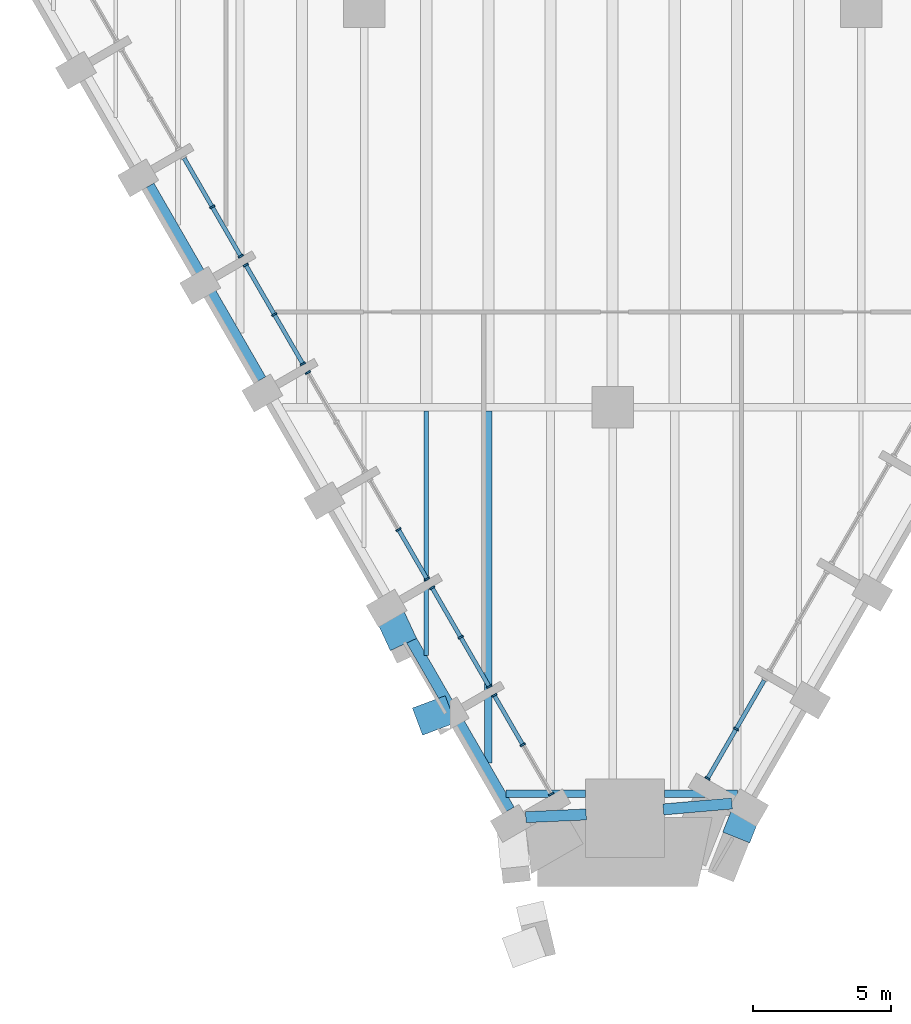
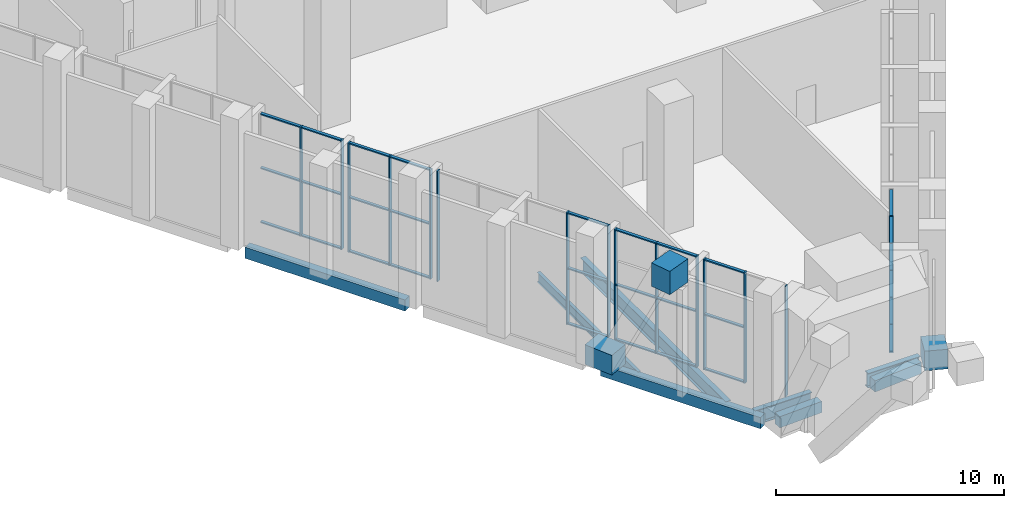
# One storey, part 2 of 17: 46 members, 11 beams, 7 elements without a shape of their own.
"""IFC4 building model written with IfcOpenShell, lengths in metres."""

from ifc_helpers import new_model, si_unit, direction, frame, origin, origin_2d, place, context, subcontext, project, spatial, rectangle, i_section, extrude, material, material_profile, profile_set, type_object, element, aggregate, save


model = new_model("IFC4")

# Units and contexts
model_context = context("Model", 3, precision=1e-05, world=origin(), true_north=direction((0.0, 1.0)))
body_context = subcontext(model_context, "Body", "Model", "MODEL_VIEW")
ifc_project = project(units=[si_unit("LENGTHUNIT", "METRE"), si_unit("AREAUNIT", "SQUARE_METRE"), si_unit("VOLUMEUNIT", "CUBIC_METRE"), si_unit("PLANEANGLEUNIT", "RADIAN"), si_unit("MASSUNIT", "GRAM", prefix="KILO")], contexts=[model_context])

# Site, building, storey
site_placement = place(None, origin())
site = spatial("IfcSite", under=ifc_project, at=site_placement, CompositionType="ELEMENT")
building_placement = place(site_placement, origin())
building = spatial("IfcBuilding", under=site, at=building_placement, Name="Calabash Gate Tower", CompositionType="ELEMENT")
storey_placement = place(building_placement, frame((0.0, 0.0, 132.60009765625)))
storey = spatial("IfcBuildingStorey", under=building, at=storey_placement, Name="L31", CompositionType="ELEMENT", Elevation=132.60009765625)

# Beams
ifc_material_1 = material(Name="Concrete C60/75", Category="concrete")
ifc_material_profile_1 = material_profile(ifc_material_1, rectangle(XDim=0.39990234375, YDim=0.60009765625, at=origin_2d()))
ifc_profile_set_1 = profile_set([ifc_material_profile_1], Name="Concrete C60/75")
beam_type_1 = type_object("IfcBeamType", Name="Edge beam RC 400x600 Concrete C60/75", PredefinedType="BEAM", material=ifc_profile_set_1)
beam_1_placement = place(storey_placement, frame((-16.7900390625, -3.98388671875, -0.47021484375), z_axis=(0.499986829629, -0.866033007568, 0.0), x_axis=(0.866033007568, 0.499986829629, 0.0)))
element("IfcBeam", 1, at=beam_1_placement, inside=storey, type_object=beam_type_1, Name="Edge beam L31 1", PredefinedType="BEAM", context=body_context, shape_type="SweptSolid", body=[
    extrude(rectangle(XDim=0.39990234375, YDim=0.60009765625, at=origin_2d()), origin(), (0.0, 0.0, 1.0), 8.100341796875),
])
beam_2_placement = place(storey_placement, frame((-7.7900390625, -19.572021484375, -0.47021484375), z_axis=(0.499999880539, -0.866025472755, 0.0), x_axis=(0.866025472755, 0.499999880539, 0.0)))
element("IfcBeam", 2, at=beam_2_placement, inside=storey, type_object=beam_type_1, Name="Edge beam L31 3", PredefinedType="BEAM", context=body_context, shape_type="SweptSolid", body=[
    extrude(rectangle(XDim=0.39990234375, YDim=0.60009765625, at=origin_2d()), origin(), (0.0, 0.0, 1.0), 8.10009765625),
])
beam_3_placement = place(storey_placement, frame((-3.14697265625, -26.85205078125, -0.47021484375), z_axis=(0.998976336197, 0.045235823388, 0.0), x_axis=(-0.045235823388, 0.998976336197, 0.0)))
element("IfcBeam", 3, at=beam_3_placement, inside=storey, type_object=beam_type_1, Name="Edge beam L31 4", PredefinedType="BEAM", context=body_context, shape_type="SweptSolid", body=[
    extrude(rectangle(XDim=0.39990234375, YDim=0.60009765625, at=origin_2d()), origin(), (0.0, 0.0, 1.0), 2.191162109375),
])
beam_4_placement = place(storey_placement, frame((1.837890625, -26.571044921875, -0.47021484375), z_axis=(0.996269568656, 0.086295692654, 0.0), x_axis=(-0.086295692654, 0.996269568656, 0.0)))
element("IfcBeam", 4, at=beam_4_placement, inside=storey, type_object=beam_type_1, Name="Edge beam L31 5", PredefinedType="BEAM", context=body_context, shape_type="SweptSolid", body=[
    extrude(rectangle(XDim=0.39990234375, YDim=0.60009765625, at=origin_2d()), origin(), (0.0, 0.0, 1.0), 2.492431640625),
])
ifc_material_2 = material(Name="Steel ASTM A992 Gr50", Category="steel")
ifc_material_profile_2 = material_profile(ifc_material_2, i_section(OverallWidth=0.166015625, OverallDepth=0.5283203125, WebThickness=0.009765625, FlangeThickness=0.013671875, FilletRadius=0.0126953125, at=origin_2d()))
ifc_profile_set_2 = profile_set([ifc_material_profile_2], Name="Steel ASTM A992 Gr50")
beam_type_2 = type_object("IfcBeamType", Name="Floor beam W21x50 ASTM A992 Gr50", PredefinedType="BEAM", material=ifc_profile_set_2)
beam_5_placement = place(storey_placement, frame((-6.75, -20.986083984375, -0.43408203125), z_axis=(0.0, 1.0, 0.0), x_axis=(-1.0, 0.0, 0.0)))
element("IfcBeam", 5, at=beam_5_placement, inside=storey, type_object=beam_type_2, Name="Floor beam L31 11", PredefinedType="BEAM", context=body_context, shape_type="SweptSolid", body=[
    extrude(i_section(OverallWidth=0.166015625, OverallDepth=0.5283203125, WebThickness=0.009765625, FlangeThickness=0.013671875, FilletRadius=0.0126953125, at=origin_2d()), origin(), (0.0, 0.0, 1.0), 8.85302734375),
])
ifc_material_3 = material(Name="Steel ASTM A992 Gr50", Category="steel")
ifc_material_profile_3 = material_profile(ifc_material_3, i_section(OverallWidth=0.2666015625, OverallDepth=0.7568359375, WebThickness=0.013916015625, FlangeThickness=0.019287109375, FilletRadius=0.0166015625, at=origin_2d()))
ifc_profile_set_3 = profile_set([ifc_material_profile_3], Name="Steel ASTM A992 Gr50")
beam_type_3 = type_object("IfcBeamType", Name="Floor beam W30x108 ASTM A992 Gr50", PredefinedType="BEAM", material=ifc_profile_set_3)
beam_6_placement = place(storey_placement, frame((-4.5, -24.883056640625, -0.548095703125), z_axis=(0.0, 1.0, 0.0), x_axis=(-1.0, 0.0, 0.0)))
element("IfcBeam", 6, at=beam_6_placement, inside=storey, type_object=beam_type_3, Name="Floor beam L31 13", PredefinedType="BEAM", context=body_context, shape_type="SweptSolid", body=[
    extrude(i_section(OverallWidth=0.2666015625, OverallDepth=0.7568359375, WebThickness=0.013916015625, FlangeThickness=0.019287109375, FilletRadius=0.0166015625, at=origin_2d()), origin(), (0.0, 0.0, 1.0), 12.75),
])
ifc_material_4 = material(Name="Steel ASTM A992 Gr50", Category="steel")
ifc_material_profile_4 = material_profile(ifc_material_4, i_section(OverallWidth=0.2666015625, OverallDepth=0.77978515625, WebThickness=0.0166015625, FlangeThickness=0.030029296875, FilletRadius=0.0166015625, at=origin_2d()))
ifc_profile_set_4 = profile_set([ifc_material_profile_4], Name="Steel ASTM A992 Gr50")
beam_type_4 = type_object("IfcBeamType", Name="Girder W30x148 ASTM A992 Gr50", PredefinedType="BEAM", material=ifc_profile_set_4)
beam_7_placement = place(storey_placement, frame((-3.860107421875, -26.0, -0.56005859375), z_axis=(1.0, 0.0, 0.0), x_axis=(0.0, 1.0, 0.0)))
element("IfcBeam", 7, at=beam_7_placement, inside=storey, type_object=beam_type_4, Name="Girder L31 6", PredefinedType="BEAM", context=body_context, shape_type="SweptSolid", body=[
    extrude(i_section(OverallWidth=0.2666015625, OverallDepth=0.77978515625, WebThickness=0.0166015625, FlangeThickness=0.030029296875, FilletRadius=0.0166015625, at=origin_2d()), origin(), (0.0, 0.0, 1.0), 2.880126953125),
])
beam_8_placement = place(storey_placement, frame((1.8701171875, -26.0, -0.56005859375), z_axis=(1.0, 0.0, 0.0), x_axis=(0.0, 1.0, 0.0)))
element("IfcBeam", 8, at=beam_8_placement, inside=storey, type_object=beam_type_4, Name="Girder L31 7", PredefinedType="BEAM", context=body_context, shape_type="SweptSolid", body=[
    extrude(i_section(OverallWidth=0.2666015625, OverallDepth=0.77978515625, WebThickness=0.0166015625, FlangeThickness=0.030029296875, FilletRadius=0.0166015625, at=origin_2d()), origin(), (0.0, 0.0, 1.0), 2.64794921875),
])

# Curtain wall, members
ifc_material_5 = material(Name="Anodised aluminium frame, bronze finish, clear laminated low-emissivity glazing", Category="aluminium")
curtain_wall_type = type_object("IfcCurtainWallType", Name="Curtain wall CWS sky lobby wall", PredefinedType="NOTDEFINED", material=ifc_material_5)
curtain_wall_1_placement = place(storey_placement, origin())
curtain_wall_1 = element("IfcCurtainWall", 9, at=curtain_wall_1_placement, inside=storey, type_object=curtain_wall_type, Name="Curtain wall CWS L31 SW0.5", PredefinedType="NOTDEFINED")
ifc_material_6 = material(Name="Anodised aluminium frame, bronze finish", Category="aluminium")
ifc_material_profile_5 = material_profile(ifc_material_6, rectangle(XDim=0.199951171875, YDim=0.06494140625, at=origin_2d()))
ifc_profile_set_5 = profile_set([ifc_material_profile_5], Name="Anodised aluminium frame, bronze finish")
member_type_1 = type_object("IfcMemberType", Name="Mullion CWS 65x200", PredefinedType="MULLION", material=ifc_profile_set_5)
member_1_placement = place(storey_placement, frame((-14.50439453125, -4.74267578125, 0.0), z_axis=(0.0, 0.0, 1.0), x_axis=(0.866025421884, 0.499999968652, 0.0)))
member_1 = element("IfcMember", 10, at=member_1_placement, type_object=member_type_1, Name="CWS mullion 2", PredefinedType="MULLION", context=body_context, shape_type="SweptSolid", body=[
    extrude(rectangle(XDim=0.199951171875, YDim=0.06494140625, at=origin_2d()), origin(), (0.0, 0.0, 1.0), 5.85400390625),
])
member_2_placement = place(storey_placement, frame((-13.470703125, -6.533203125, 0.0), z_axis=(0.0, 0.0, 1.0), x_axis=(0.866025421884, 0.499999968652, 0.0)))
member_2 = element("IfcMember", 11, at=member_2_placement, type_object=member_type_1, Name="CWS mullion 3", PredefinedType="MULLION", context=body_context, shape_type="SweptSolid", body=[
    extrude(rectangle(XDim=0.199951171875, YDim=0.06494140625, at=origin_2d()), origin(), (0.0, 0.0, 1.0), 5.85400390625),
])

curtain_wall_2_placement = place(storey_placement, origin())
curtain_wall_2 = element("IfcCurtainWall", 12, at=curtain_wall_2_placement, inside=storey, type_object=curtain_wall_type, Name="Curtain wall CWS L31 SW0.6", PredefinedType="NOTDEFINED")
member_3_placement = place(storey_placement, frame((-13.2880859375, -6.84912109375, 0.0), z_axis=(0.0, 0.0, 1.0), x_axis=(0.866025421884, 0.499999968652, 0.0)))
member_3 = element("IfcMember", 13, at=member_3_placement, type_object=member_type_1, Name="CWS mullion 1", PredefinedType="MULLION", context=body_context, shape_type="SweptSolid", body=[
    extrude(rectangle(XDim=0.199951171875, YDim=0.06494140625, at=origin_2d()), origin(), (0.0, 0.0, 1.0), 5.85400390625),
])
member_4_placement = place(storey_placement, frame((-12.25439453125, -8.6396484375, 0.0), z_axis=(0.0, 0.0, 1.0), x_axis=(0.866025421884, 0.499999968652, 0.0)))
member_4 = element("IfcMember", 14, at=member_4_placement, type_object=member_type_1, Name="CWS mullion 2", PredefinedType="MULLION", context=body_context, shape_type="SweptSolid", body=[
    extrude(rectangle(XDim=0.199951171875, YDim=0.06494140625, at=origin_2d()), origin(), (0.0, 0.0, 1.0), 5.85400390625),
])
member_5_placement = place(storey_placement, frame((-11.220703125, -10.43017578125, 0.0), z_axis=(0.0, 0.0, 1.0), x_axis=(0.866025421884, 0.499999968652, 0.0)))
member_5 = element("IfcMember", 15, at=member_5_placement, type_object=member_type_1, Name="CWS mullion 3", PredefinedType="MULLION", context=body_context, shape_type="SweptSolid", body=[
    extrude(rectangle(XDim=0.199951171875, YDim=0.06494140625, at=origin_2d()), origin(), (0.0, 0.0, 1.0), 5.85400390625),
])

# Curtain wall, member
curtain_wall_3_placement = place(storey_placement, origin())
curtain_wall_3 = element("IfcCurtainWall", 16, at=curtain_wall_3_placement, inside=storey, type_object=curtain_wall_type, Name="Curtain wall CWS L31 SW0.7", PredefinedType="NOTDEFINED")
member_6_placement = place(storey_placement, frame((-11.0380859375, -10.746337890625, 0.0), z_axis=(0.0, 0.0, 1.0), x_axis=(0.866025362359, 0.500000071751, 0.0)))
member_6 = element("IfcMember", 17, at=member_6_placement, type_object=member_type_1, Name="CWS mullion 1", PredefinedType="MULLION", context=body_context, shape_type="SweptSolid", body=[
    extrude(rectangle(XDim=0.199951171875, YDim=0.06494140625, at=origin_2d()), origin(), (0.0, 0.0, 1.0), 5.919921875),
])
aggregate(curtain_wall_3, [member_6])

# Curtain wall, members
curtain_wall_4_placement = place(storey_placement, origin())
curtain_wall_4 = element("IfcCurtainWall", 18, at=curtain_wall_4_placement, inside=storey, type_object=curtain_wall_type, Name="Curtain wall CWS L31 SW0.8", PredefinedType="NOTDEFINED")
member_7_placement = place(storey_placement, frame((-7.75439453125, -16.433837890625, 0.0), z_axis=(0.0, 0.0, 1.0), x_axis=(0.866025421884, 0.499999968652, 0.0)))
member_7 = element("IfcMember", 19, at=member_7_placement, type_object=member_type_1, Name="CWS mullion 2", PredefinedType="MULLION", context=body_context, shape_type="SweptSolid", body=[
    extrude(rectangle(XDim=0.199951171875, YDim=0.06494140625, at=origin_2d()), origin(), (0.0, 0.0, 1.0), 6.0),
])
member_8_placement = place(storey_placement, frame((-6.720703125, -18.224365234375, 0.0), z_axis=(0.0, 0.0, 1.0), x_axis=(0.866025421884, 0.499999968652, 0.0)))
member_8 = element("IfcMember", 20, at=member_8_placement, type_object=member_type_1, Name="CWS mullion 3", PredefinedType="MULLION", context=body_context, shape_type="SweptSolid", body=[
    extrude(rectangle(XDim=0.199951171875, YDim=0.06494140625, at=origin_2d()), origin(), (0.0, 0.0, 1.0), 6.0),
])

curtain_wall_5_placement = place(storey_placement, origin())
curtain_wall_5 = element("IfcCurtainWall", 21, at=curtain_wall_5_placement, inside=storey, type_object=curtain_wall_type, Name="Curtain wall CWS L31 SW0.9", PredefinedType="NOTDEFINED")
member_9_placement = place(storey_placement, frame((-6.5380859375, -18.54052734375, 0.0), z_axis=(0.0, 0.0, 1.0), x_axis=(0.866025421884, 0.499999968652, 0.0)))
member_9 = element("IfcMember", 22, at=member_9_placement, type_object=member_type_1, Name="CWS mullion 1", PredefinedType="MULLION", context=body_context, shape_type="SweptSolid", body=[
    extrude(rectangle(XDim=0.199951171875, YDim=0.06494140625, at=origin_2d()), origin(), (0.0, 0.0, 1.0), 5.943359375),
])
member_10_placement = place(storey_placement, frame((-5.50439453125, -20.3310546875, 0.0), z_axis=(0.0, 0.0, 1.0), x_axis=(0.866025421884, 0.499999968652, 0.0)))
member_10 = element("IfcMember", 23, at=member_10_placement, type_object=member_type_1, Name="CWS mullion 2", PredefinedType="MULLION", context=body_context, shape_type="SweptSolid", body=[
    extrude(rectangle(XDim=0.199951171875, YDim=0.06494140625, at=origin_2d()), origin(), (0.0, 0.0, 1.0), 5.943359375),
])
member_11_placement = place(storey_placement, frame((-4.470703125, -22.12158203125, 0.0), z_axis=(0.0, 0.0, 1.0), x_axis=(0.866025421884, 0.499999968652, 0.0)))
member_11 = element("IfcMember", 24, at=member_11_placement, type_object=member_type_1, Name="CWS mullion 3", PredefinedType="MULLION", context=body_context, shape_type="SweptSolid", body=[
    extrude(rectangle(XDim=0.199951171875, YDim=0.06494140625, at=origin_2d()), origin(), (0.0, 0.0, 1.0), 5.943359375),
])

curtain_wall_6_placement = place(storey_placement, origin())
curtain_wall_6 = element("IfcCurtainWall", 25, at=curtain_wall_6_placement, inside=storey, type_object=curtain_wall_type, Name="Curtain wall CWS L31 SW0.10", PredefinedType="NOTDEFINED")
member_12_placement = place(storey_placement, frame((-4.2880859375, -22.437744140625, 0.0), z_axis=(0.0, 0.0, 1.0), x_axis=(0.866025362359, 0.500000071751, 0.0)))
member_12 = element("IfcMember", 26, at=member_12_placement, type_object=member_type_1, Name="CWS mullion 1", PredefinedType="MULLION", context=body_context, shape_type="SweptSolid", body=[
    extrude(rectangle(XDim=0.199951171875, YDim=0.06494140625, at=origin_2d()), origin(), (0.0, 0.0, 1.0), 5.919921875),
])
member_13_placement = place(storey_placement, frame((-3.25439453125, -24.228271484375, 0.0), z_axis=(0.0, 0.0, 1.0), x_axis=(0.866025362359, 0.500000071751, 0.0)))
member_13 = element("IfcMember", 27, at=member_13_placement, type_object=member_type_1, Name="CWS mullion 2", PredefinedType="MULLION", context=body_context, shape_type="SweptSolid", body=[
    extrude(rectangle(XDim=0.199951171875, YDim=0.06494140625, at=origin_2d()), origin(), (0.0, 0.0, 1.0), 5.919921875),
])
member_14_placement = place(storey_placement, frame((-2.220703125, -26.0185546875, 0.0), z_axis=(0.0, 0.0, 1.0), x_axis=(0.866025362359, 0.500000071751, 0.0)))
member_14 = element("IfcMember", 28, at=member_14_placement, type_object=member_type_1, Name="CWS mullion 3", PredefinedType="MULLION", context=body_context, shape_type="SweptSolid", body=[
    extrude(rectangle(XDim=0.199951171875, YDim=0.06494140625, at=origin_2d()), origin(), (0.0, 0.0, 1.0), 5.919921875),
])

curtain_wall_7_placement = place(storey_placement, origin())
curtain_wall_7 = element("IfcCurtainWall", 29, at=curtain_wall_7_placement, inside=storey, type_object=curtain_wall_type, Name="Curtain wall CWS L31 SE2.1", PredefinedType="NOTDEFINED")
member_15_placement = place(storey_placement, frame((3.43896484375, -25.4482421875, 0.0), z_axis=(0.0, 0.0, 1.0), x_axis=(-0.866025421884, 0.499999968652, 0.0)))
member_15 = element("IfcMember", 30, at=member_15_placement, type_object=member_type_1, Name="CWS mullion 1", PredefinedType="MULLION", context=body_context, shape_type="SweptSolid", body=[
    extrude(rectangle(XDim=0.199951171875, YDim=0.06494140625, at=origin_2d()), origin(), (0.0, 0.0, 1.0), 5.85400390625),
])
member_16_placement = place(storey_placement, frame((4.47265625, -23.657958984375, 0.0), z_axis=(0.0, 0.0, 1.0), x_axis=(-0.866025421884, 0.499999968652, 0.0)))
member_16 = element("IfcMember", 31, at=member_16_placement, type_object=member_type_1, Name="CWS mullion 2", PredefinedType="MULLION", context=body_context, shape_type="SweptSolid", body=[
    extrude(rectangle(XDim=0.199951171875, YDim=0.06494140625, at=origin_2d()), origin(), (0.0, 0.0, 1.0), 5.85400390625),
])

# Beams
ifc_material_7 = material(Name="Concrete C80/95", Category="concrete")
ifc_material_profile_6 = material_profile(ifc_material_7, rectangle(XDim=1.050048828125, YDim=1.050048828125, at=origin_2d()))
ifc_profile_set_6 = profile_set([ifc_material_profile_6], Name="Concrete C80/95")
beam_type_5 = type_object("IfcBeamType", Name="Transfer node RC 1050x1050 Concrete C80/95", PredefinedType="BEAM", material=ifc_profile_set_6)
beam_9_placement = place(storey_placement, frame((-8.18798828125, -19.281982421875, 0.52685546875), z_axis=(0.421437778039, -0.906857320223, 0.0), x_axis=(0.906857320223, 0.421437778039, 0.0)))
element("IfcBeam", 32, at=beam_9_placement, inside=storey, type_object=beam_type_5, Name="Transfer node L32 prow foot P25", PredefinedType="BEAM", context=body_context, shape_type="SweptSolid", body=[
    extrude(rectangle(XDim=1.050048828125, YDim=1.050048828125, at=origin_2d()), origin(), (0.0, 0.0, 1.0), 1.449951171875),
])
beam_10_placement = place(storey_placement, frame((4.906982421875, -26.506103515625, 0.52685546875), z_axis=(-0.368603841067, -0.929586579265, 0.0), x_axis=(0.929586579265, -0.368603841067, 0.0)))
element("IfcBeam", 33, at=beam_10_placement, inside=storey, type_object=beam_type_5, Name="Transfer node L32 prow foot P28", PredefinedType="BEAM", context=body_context, shape_type="SweptSolid", body=[
    extrude(rectangle(XDim=1.050048828125, YDim=1.050048828125, at=origin_2d()), origin(), (0.0, 0.0, 1.0), 1.163818359375),
])
ifc_material_8 = material(Name="Concrete C80/95", Category="concrete")
ifc_material_profile_7 = material_profile(ifc_material_8, rectangle(XDim=1.050048828125, YDim=1.25, at=origin_2d()))
ifc_profile_set_7 = profile_set([ifc_material_profile_7], Name="Concrete C80/95")
beam_type_6 = type_object("IfcBeamType", Name="Transfer node RC 1050x1250 Concrete C80/95", PredefinedType="BEAM", material=ifc_profile_set_7)
beam_11_placement = place(storey_placement, frame((-7.068115234375, -23.389892578125, 6.376953125), z_axis=(0.936115762483, 0.351692023269, 0.0), x_axis=(-0.351692023269, 0.936115762483, 0.0)))
element("IfcBeam", 34, at=beam_11_placement, inside=storey, type_object=beam_type_6, Name="Transfer node L32 prow head P25", PredefinedType="BEAM", context=body_context, shape_type="SweptSolid", body=[
    extrude(rectangle(XDim=1.050048828125, YDim=1.25, at=origin_2d()), origin(), (0.0, 0.0, 1.0), 1.270263671875),
])

# Member
ifc_material_9 = material(Name="Anodised aluminium frame, bronze finish", Category="aluminium")
ifc_material_profile_8 = material_profile(ifc_material_9, rectangle(XDim=0.14990234375, YDim=0.06494140625, at=origin_2d()))
ifc_profile_set_8 = profile_set([ifc_material_profile_8], Name="Anodised aluminium frame, bronze finish")
member_type_2 = type_object("IfcMemberType", Name="Transom CWS 65x150", PredefinedType="USERDEFINED", material=ifc_profile_set_8)
member_17_placement = place(storey_placement, frame((-15.521728515625, -2.980224609375, 0.032470703125), z_axis=(0.500007410291, -0.866021125408, 0.0), x_axis=(0.866021125408, 0.500007410291, 0.0)))
member_17 = element("IfcMember", 35, at=member_17_placement, type_object=member_type_2, Name="CWS transom 1.1", ObjectType="TRANSOM", PredefinedType="USERDEFINED", context=body_context, shape_type="SweptSolid", body=[
    extrude(rectangle(XDim=0.14990234375, YDim=0.06494140625, at=origin_2d()), origin(), (0.0, 0.0, 1.0), 2.00244140625),
])

member_18_placement = place(storey_placement, frame((-15.521728515625, -2.980224609375, 2.927001953125), z_axis=(0.500007410291, -0.866021125408, 0.0), x_axis=(0.866021125408, 0.500007410291, 0.0)))
member_18 = element("IfcMember", 36, at=member_18_placement, type_object=member_type_2, Name="CWS transom 1.2", ObjectType="TRANSOM", PredefinedType="USERDEFINED", context=body_context, shape_type="SweptSolid", body=[
    extrude(rectangle(XDim=0.14990234375, YDim=0.06494140625, at=origin_2d()), origin(), (0.0, 0.0, 1.0), 2.00244140625),
])

member_19_placement = place(storey_placement, frame((-15.521728515625, -2.980224609375, 5.821533203125), z_axis=(0.500007410291, -0.866021125408, 0.0), x_axis=(0.866021125408, 0.500007410291, 0.0)))
member_19 = element("IfcMember", 37, at=member_19_placement, type_object=member_type_2, Name="CWS transom 1.3", ObjectType="TRANSOM", PredefinedType="USERDEFINED", context=body_context, shape_type="SweptSolid", body=[
    extrude(rectangle(XDim=0.14990234375, YDim=0.06494140625, at=origin_2d()), origin(), (0.0, 0.0, 1.0), 2.00244140625),
])

member_20_placement = place(storey_placement, frame((-14.488037109375, -4.770751953125, 0.032470703125), z_axis=(0.500007410291, -0.866021125408, 0.0), x_axis=(0.866021125408, 0.500007410291, 0.0)))
member_20 = element("IfcMember", 38, at=member_20_placement, type_object=member_type_2, Name="CWS transom 2.1", ObjectType="TRANSOM", PredefinedType="USERDEFINED", context=body_context, shape_type="SweptSolid", body=[
    extrude(rectangle(XDim=0.14990234375, YDim=0.06494140625, at=origin_2d()), origin(), (0.0, 0.0, 1.0), 2.00244140625),
])

member_21_placement = place(storey_placement, frame((-14.488037109375, -4.770751953125, 2.927001953125), z_axis=(0.500007410291, -0.866021125408, 0.0), x_axis=(0.866021125408, 0.500007410291, 0.0)))
member_21 = element("IfcMember", 39, at=member_21_placement, type_object=member_type_2, Name="CWS transom 2.2", ObjectType="TRANSOM", PredefinedType="USERDEFINED", context=body_context, shape_type="SweptSolid", body=[
    extrude(rectangle(XDim=0.14990234375, YDim=0.06494140625, at=origin_2d()), origin(), (0.0, 0.0, 1.0), 2.00244140625),
])

member_22_placement = place(storey_placement, frame((-14.488037109375, -4.770751953125, 5.821533203125), z_axis=(0.500007410291, -0.866021125408, 0.0), x_axis=(0.866021125408, 0.500007410291, 0.0)))
member_22 = element("IfcMember", 40, at=member_22_placement, type_object=member_type_2, Name="CWS transom 2.3", ObjectType="TRANSOM", PredefinedType="USERDEFINED", context=body_context, shape_type="SweptSolid", body=[
    extrude(rectangle(XDim=0.14990234375, YDim=0.06494140625, at=origin_2d()), origin(), (0.0, 0.0, 1.0), 2.00244140625),
])

aggregate(curtain_wall_1, [member_1, member_2, member_17, member_18, member_19, member_20, member_21, member_22])

member_23_placement = place(storey_placement, frame((-13.271728515625, -6.87744140625, 0.032470703125), z_axis=(0.500007410291, -0.866021125408, 0.0), x_axis=(0.866021125408, 0.500007410291, 0.0)))
member_23 = element("IfcMember", 41, at=member_23_placement, type_object=member_type_2, Name="CWS transom 1.1", ObjectType="TRANSOM", PredefinedType="USERDEFINED", context=body_context, shape_type="SweptSolid", body=[
    extrude(rectangle(XDim=0.14990234375, YDim=0.06494140625, at=origin_2d()), origin(), (0.0, 0.0, 1.0), 2.00244140625),
])

member_24_placement = place(storey_placement, frame((-13.271728515625, -6.87744140625, 2.927001953125), z_axis=(0.500007410291, -0.866021125408, 0.0), x_axis=(0.866021125408, 0.500007410291, 0.0)))
member_24 = element("IfcMember", 42, at=member_24_placement, type_object=member_type_2, Name="CWS transom 1.2", ObjectType="TRANSOM", PredefinedType="USERDEFINED", context=body_context, shape_type="SweptSolid", body=[
    extrude(rectangle(XDim=0.14990234375, YDim=0.06494140625, at=origin_2d()), origin(), (0.0, 0.0, 1.0), 2.00244140625),
])

member_25_placement = place(storey_placement, frame((-13.271728515625, -6.87744140625, 5.821533203125), z_axis=(0.500007410291, -0.866021125408, 0.0), x_axis=(0.866021125408, 0.500007410291, 0.0)))
member_25 = element("IfcMember", 43, at=member_25_placement, type_object=member_type_2, Name="CWS transom 1.3", ObjectType="TRANSOM", PredefinedType="USERDEFINED", context=body_context, shape_type="SweptSolid", body=[
    extrude(rectangle(XDim=0.14990234375, YDim=0.06494140625, at=origin_2d()), origin(), (0.0, 0.0, 1.0), 2.00244140625),
])

member_26_placement = place(storey_placement, frame((-12.238037109375, -8.66796875, 0.032470703125), z_axis=(0.500007410291, -0.866021125408, 0.0), x_axis=(0.866021125408, 0.500007410291, 0.0)))
member_26 = element("IfcMember", 44, at=member_26_placement, type_object=member_type_2, Name="CWS transom 2.1", ObjectType="TRANSOM", PredefinedType="USERDEFINED", context=body_context, shape_type="SweptSolid", body=[
    extrude(rectangle(XDim=0.14990234375, YDim=0.06494140625, at=origin_2d()), origin(), (0.0, 0.0, 1.0), 2.00244140625),
])

member_27_placement = place(storey_placement, frame((-12.238037109375, -8.66796875, 2.927001953125), z_axis=(0.500007410291, -0.866021125408, 0.0), x_axis=(0.866021125408, 0.500007410291, 0.0)))
member_27 = element("IfcMember", 45, at=member_27_placement, type_object=member_type_2, Name="CWS transom 2.2", ObjectType="TRANSOM", PredefinedType="USERDEFINED", context=body_context, shape_type="SweptSolid", body=[
    extrude(rectangle(XDim=0.14990234375, YDim=0.06494140625, at=origin_2d()), origin(), (0.0, 0.0, 1.0), 2.00244140625),
])

member_28_placement = place(storey_placement, frame((-12.238037109375, -8.66796875, 5.821533203125), z_axis=(0.500007410291, -0.866021125408, 0.0), x_axis=(0.866021125408, 0.500007410291, 0.0)))
member_28 = element("IfcMember", 46, at=member_28_placement, type_object=member_type_2, Name="CWS transom 2.3", ObjectType="TRANSOM", PredefinedType="USERDEFINED", context=body_context, shape_type="SweptSolid", body=[
    extrude(rectangle(XDim=0.14990234375, YDim=0.06494140625, at=origin_2d()), origin(), (0.0, 0.0, 1.0), 2.00244140625),
])

aggregate(curtain_wall_2, [member_3, member_4, member_5, member_23, member_24, member_25, member_26, member_27, member_28])

member_29_placement = place(storey_placement, frame((-7.738037109375, -16.462158203125, 0.032470703125), z_axis=(0.500007410291, -0.866021125408, 0.0), x_axis=(0.866021125408, 0.500007410291, 0.0)))
member_29 = element("IfcMember", 47, at=member_29_placement, type_object=member_type_2, Name="CWS transom 2.1", ObjectType="TRANSOM", PredefinedType="USERDEFINED", context=body_context, shape_type="SweptSolid", body=[
    extrude(rectangle(XDim=0.14990234375, YDim=0.06494140625, at=origin_2d()), origin(), (0.0, 0.0, 1.0), 2.00244140625),
])

member_30_placement = place(storey_placement, frame((-7.738037109375, -16.462158203125, 3.0), z_axis=(0.500007410291, -0.866021125408, 0.0), x_axis=(0.866021125408, 0.500007410291, 0.0)))
member_30 = element("IfcMember", 48, at=member_30_placement, type_object=member_type_2, Name="CWS transom 2.2", ObjectType="TRANSOM", PredefinedType="USERDEFINED", context=body_context, shape_type="SweptSolid", body=[
    extrude(rectangle(XDim=0.14990234375, YDim=0.06494140625, at=origin_2d()), origin(), (0.0, 0.0, 1.0), 2.00244140625),
])

member_31_placement = place(storey_placement, frame((-7.738037109375, -16.462158203125, 5.96728515625), z_axis=(0.500007410291, -0.866021125408, 0.0), x_axis=(0.866021125408, 0.500007410291, 0.0)))
member_31 = element("IfcMember", 49, at=member_31_placement, type_object=member_type_2, Name="CWS transom 2.3", ObjectType="TRANSOM", PredefinedType="USERDEFINED", context=body_context, shape_type="SweptSolid", body=[
    extrude(rectangle(XDim=0.14990234375, YDim=0.06494140625, at=origin_2d()), origin(), (0.0, 0.0, 1.0), 2.00244140625),
])

aggregate(curtain_wall_4, [member_7, member_8, member_29, member_30, member_31])

member_32_placement = place(storey_placement, frame((-6.521728515625, -18.568603515625, 0.032470703125), z_axis=(0.499954620082, -0.866051602307, 0.0), x_axis=(0.866051602307, 0.499954620082, 0.0)))
member_32 = element("IfcMember", 50, at=member_32_placement, type_object=member_type_2, Name="CWS transom 1.1", ObjectType="TRANSOM", PredefinedType="USERDEFINED", context=body_context, shape_type="SweptSolid", body=[
    extrude(rectangle(XDim=0.14990234375, YDim=0.06494140625, at=origin_2d()), origin(), (0.0, 0.0, 1.0), 2.002685546875),
])

member_33_placement = place(storey_placement, frame((-6.521728515625, -18.568603515625, 2.9716796875), z_axis=(0.499954620082, -0.866051602307, 0.0), x_axis=(0.866051602307, 0.499954620082, 0.0)))
member_33 = element("IfcMember", 51, at=member_33_placement, type_object=member_type_2, Name="CWS transom 1.2", ObjectType="TRANSOM", PredefinedType="USERDEFINED", context=body_context, shape_type="SweptSolid", body=[
    extrude(rectangle(XDim=0.14990234375, YDim=0.06494140625, at=origin_2d()), origin(), (0.0, 0.0, 1.0), 2.002685546875),
])

member_34_placement = place(storey_placement, frame((-6.521728515625, -18.568603515625, 5.910888671875), z_axis=(0.499954620082, -0.866051602307, 0.0), x_axis=(0.866051602307, 0.499954620082, 0.0)))
member_34 = element("IfcMember", 52, at=member_34_placement, type_object=member_type_2, Name="CWS transom 1.3", ObjectType="TRANSOM", PredefinedType="USERDEFINED", context=body_context, shape_type="SweptSolid", body=[
    extrude(rectangle(XDim=0.14990234375, YDim=0.06494140625, at=origin_2d()), origin(), (0.0, 0.0, 1.0), 2.002685546875),
])

member_35_placement = place(storey_placement, frame((-5.488037109375, -20.359130859375, 0.032470703125), z_axis=(0.499954620082, -0.866051602307, 0.0), x_axis=(0.866051602307, 0.499954620082, 0.0)))
member_35 = element("IfcMember", 53, at=member_35_placement, type_object=member_type_2, Name="CWS transom 2.1", ObjectType="TRANSOM", PredefinedType="USERDEFINED", context=body_context, shape_type="SweptSolid", body=[
    extrude(rectangle(XDim=0.14990234375, YDim=0.06494140625, at=origin_2d()), origin(), (0.0, 0.0, 1.0), 2.002685546875),
])

member_36_placement = place(storey_placement, frame((-5.488037109375, -20.359130859375, 2.9716796875), z_axis=(0.499954620082, -0.866051602307, 0.0), x_axis=(0.866051602307, 0.499954620082, 0.0)))
member_36 = element("IfcMember", 54, at=member_36_placement, type_object=member_type_2, Name="CWS transom 2.2", ObjectType="TRANSOM", PredefinedType="USERDEFINED", context=body_context, shape_type="SweptSolid", body=[
    extrude(rectangle(XDim=0.14990234375, YDim=0.06494140625, at=origin_2d()), origin(), (0.0, 0.0, 1.0), 2.002685546875),
])

member_37_placement = place(storey_placement, frame((-5.488037109375, -20.359130859375, 5.910888671875), z_axis=(0.499954620082, -0.866051602307, 0.0), x_axis=(0.866051602307, 0.499954620082, 0.0)))
member_37 = element("IfcMember", 55, at=member_37_placement, type_object=member_type_2, Name="CWS transom 2.3", ObjectType="TRANSOM", PredefinedType="USERDEFINED", context=body_context, shape_type="SweptSolid", body=[
    extrude(rectangle(XDim=0.14990234375, YDim=0.06494140625, at=origin_2d()), origin(), (0.0, 0.0, 1.0), 2.002685546875),
])

aggregate(curtain_wall_5, [member_9, member_10, member_11, member_32, member_33, member_34, member_35, member_36, member_37])

member_38_placement = place(storey_placement, frame((-4.271728515625, -22.4658203125, 0.032470703125), z_axis=(0.500007410291, -0.866021125408, 0.0), x_axis=(0.866021125408, 0.500007410291, 0.0)))
member_38 = element("IfcMember", 56, at=member_38_placement, type_object=member_type_2, Name="CWS transom 1.1", ObjectType="TRANSOM", PredefinedType="USERDEFINED", context=body_context, shape_type="SweptSolid", body=[
    extrude(rectangle(XDim=0.14990234375, YDim=0.06494140625, at=origin_2d()), origin(), (0.0, 0.0, 1.0), 2.00244140625),
])

member_39_placement = place(storey_placement, frame((-4.271728515625, -22.4658203125, 2.9599609375), z_axis=(0.500007410291, -0.866021125408, 0.0), x_axis=(0.866021125408, 0.500007410291, 0.0)))
member_39 = element("IfcMember", 57, at=member_39_placement, type_object=member_type_2, Name="CWS transom 1.2", ObjectType="TRANSOM", PredefinedType="USERDEFINED", context=body_context, shape_type="SweptSolid", body=[
    extrude(rectangle(XDim=0.14990234375, YDim=0.06494140625, at=origin_2d()), origin(), (0.0, 0.0, 1.0), 2.00244140625),
])

member_40_placement = place(storey_placement, frame((-4.271728515625, -22.4658203125, 5.887451171875), z_axis=(0.500007410291, -0.866021125408, 0.0), x_axis=(0.866021125408, 0.500007410291, 0.0)))
member_40 = element("IfcMember", 58, at=member_40_placement, type_object=member_type_2, Name="CWS transom 1.3", ObjectType="TRANSOM", PredefinedType="USERDEFINED", context=body_context, shape_type="SweptSolid", body=[
    extrude(rectangle(XDim=0.14990234375, YDim=0.06494140625, at=origin_2d()), origin(), (0.0, 0.0, 1.0), 2.00244140625),
])

aggregate(curtain_wall_6, [member_12, member_13, member_14, member_38, member_39, member_40])

member_41_placement = place(storey_placement, frame((3.455322265625, -25.420166015625, 0.032470703125), z_axis=(0.500007410291, 0.866021125408, 0.0), x_axis=(-0.866021125408, 0.500007410291, 0.0)))
member_41 = element("IfcMember", 59, at=member_41_placement, type_object=member_type_2, Name="CWS transom 1.1", ObjectType="TRANSOM", PredefinedType="USERDEFINED", context=body_context, shape_type="SweptSolid", body=[
    extrude(rectangle(XDim=0.14990234375, YDim=0.06494140625, at=origin_2d()), origin(), (0.0, 0.0, 1.0), 2.00244140625),
])

member_42_placement = place(storey_placement, frame((3.455322265625, -25.420166015625, 2.927001953125), z_axis=(0.500007410291, 0.866021125408, 0.0), x_axis=(-0.866021125408, 0.500007410291, 0.0)))
member_42 = element("IfcMember", 60, at=member_42_placement, type_object=member_type_2, Name="CWS transom 1.2", ObjectType="TRANSOM", PredefinedType="USERDEFINED", context=body_context, shape_type="SweptSolid", body=[
    extrude(rectangle(XDim=0.14990234375, YDim=0.06494140625, at=origin_2d()), origin(), (0.0, 0.0, 1.0), 2.00244140625),
])

member_43_placement = place(storey_placement, frame((3.455322265625, -25.420166015625, 5.821533203125), z_axis=(0.500007410291, 0.866021125408, 0.0), x_axis=(-0.866021125408, 0.500007410291, 0.0)))
member_43 = element("IfcMember", 61, at=member_43_placement, type_object=member_type_2, Name="CWS transom 1.3", ObjectType="TRANSOM", PredefinedType="USERDEFINED", context=body_context, shape_type="SweptSolid", body=[
    extrude(rectangle(XDim=0.14990234375, YDim=0.06494140625, at=origin_2d()), origin(), (0.0, 0.0, 1.0), 2.00244140625),
])

member_44_placement = place(storey_placement, frame((4.489013671875, -23.629638671875, 0.032470703125), z_axis=(0.500007410291, 0.866021125408, 0.0), x_axis=(-0.866021125408, 0.500007410291, 0.0)))
member_44 = element("IfcMember", 62, at=member_44_placement, type_object=member_type_2, Name="CWS transom 2.1", ObjectType="TRANSOM", PredefinedType="USERDEFINED", context=body_context, shape_type="SweptSolid", body=[
    extrude(rectangle(XDim=0.14990234375, YDim=0.06494140625, at=origin_2d()), origin(), (0.0, 0.0, 1.0), 2.00244140625),
])

member_45_placement = place(storey_placement, frame((4.489013671875, -23.629638671875, 2.927001953125), z_axis=(0.500007410291, 0.866021125408, 0.0), x_axis=(-0.866021125408, 0.500007410291, 0.0)))
member_45 = element("IfcMember", 63, at=member_45_placement, type_object=member_type_2, Name="CWS transom 2.2", ObjectType="TRANSOM", PredefinedType="USERDEFINED", context=body_context, shape_type="SweptSolid", body=[
    extrude(rectangle(XDim=0.14990234375, YDim=0.06494140625, at=origin_2d()), origin(), (0.0, 0.0, 1.0), 2.00244140625),
])

member_46_placement = place(storey_placement, frame((4.489013671875, -23.629638671875, 5.821533203125), z_axis=(0.500007410291, 0.866021125408, 0.0), x_axis=(-0.866021125408, 0.500007410291, 0.0)))
member_46 = element("IfcMember", 64, at=member_46_placement, type_object=member_type_2, Name="CWS transom 2.3", ObjectType="TRANSOM", PredefinedType="USERDEFINED", context=body_context, shape_type="SweptSolid", body=[
    extrude(rectangle(XDim=0.14990234375, YDim=0.06494140625, at=origin_2d()), origin(), (0.0, 0.0, 1.0), 2.00244140625),
])

aggregate(curtain_wall_7, [member_15, member_16, member_41, member_42, member_43, member_44, member_45, member_46])

save(model, "model.ifc")
